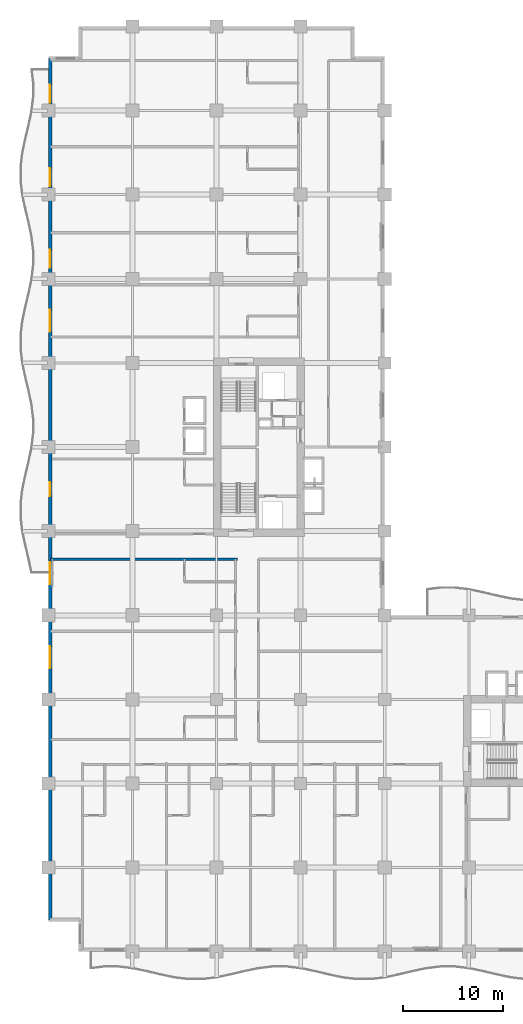
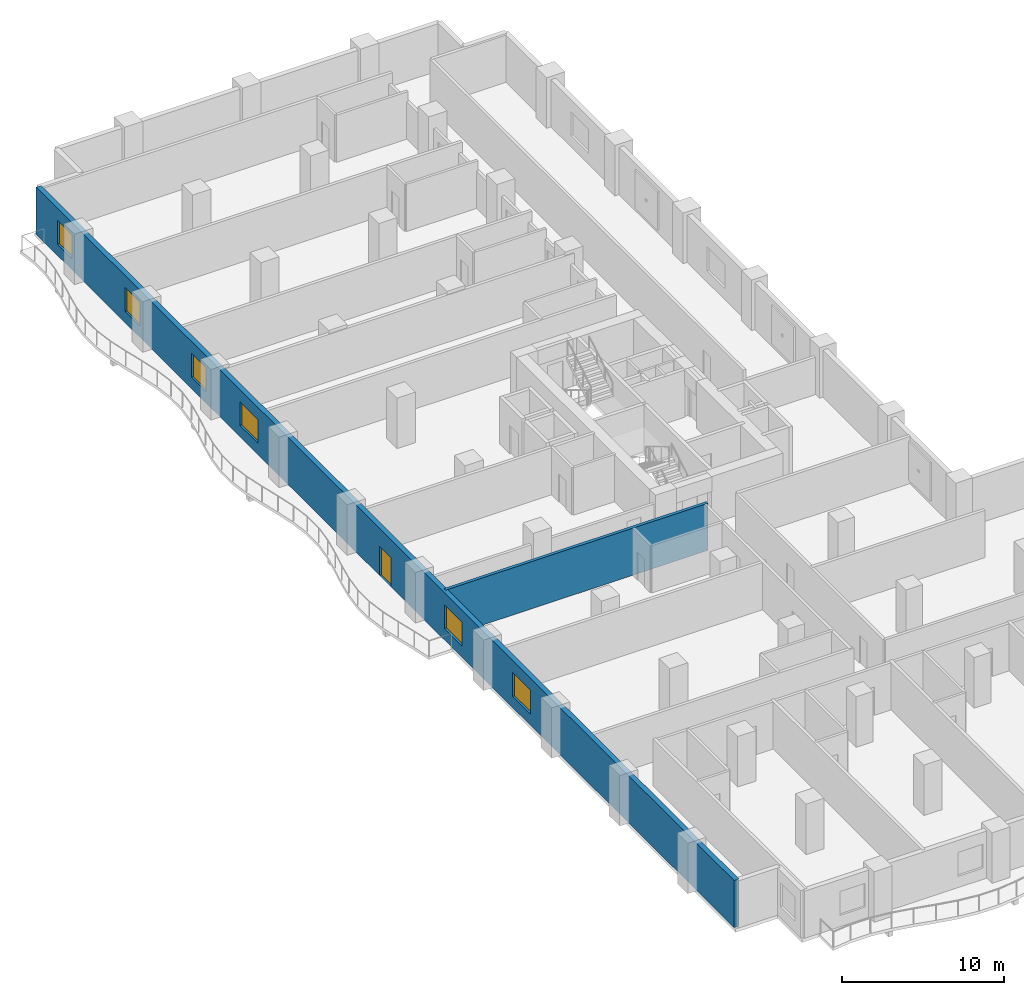
# One storey, part 7 of 18: 6 windows, 2 walls, 1 door, 7 openings.
"""IFC4 building model written with IfcOpenShell, lengths in metres."""

from ifc_helpers import new_model, si_unit, direction, frame, frame_2d, origin, place, context, subcontext, project, spatial, rectangle, extrude, material, layer, layer_set, type_object, element, fill, save


model = new_model("IFC4")

# Units and contexts
model_context = context("Model", 3, precision=1e-05, world=origin(), true_north=direction((0.0, 1.0)))
body_context = subcontext(model_context, "Body", "Model", "MODEL_VIEW")
ifc_project = project(units=[si_unit("LENGTHUNIT", "METRE"), si_unit("AREAUNIT", "SQUARE_METRE"), si_unit("VOLUMEUNIT", "CUBIC_METRE"), si_unit("PLANEANGLEUNIT", "RADIAN"), si_unit("MASSUNIT", "GRAM", prefix="KILO")], contexts=[model_context])

# Site, building, storey
site_placement = place(None, origin())
site = spatial("IfcSite", under=ifc_project, at=site_placement, CompositionType="ELEMENT")
building_placement = place(site_placement, origin())
building = spatial("IfcBuilding", under=site, at=building_placement, Name="Koriwani Terraces Tower", CompositionType="ELEMENT")
storey_placement = place(building_placement, frame((0.0, 0.0, 100.0)))
storey = spatial("IfcBuildingStorey", under=building, at=storey_placement, Name="L23", CompositionType="ELEMENT", Elevation=100.0)

# Wall
ifc_material_1 = material(Name="Autoclaved Cellular Concrete Blockwork", Category="masonry")
ifc_layer_1 = layer(ifc_material_1, 0.219970703125, Name="Autoclaved Cellular Concrete Blockwork")
ifc_layer_set_1 = layer_set([ifc_layer_1], Name="Autoclaved Cellular Concrete Blockwork")
wall_type_1 = type_object("IfcWallType", Name="WALL_DEMISING_220", PredefinedType="PARTITIONING", material=ifc_layer_set_1)
wall_1_placement = place(storey_placement, frame((0.199951171875, 39.199951171875, 0.0), z_axis=(0.0, 0.0, 1.0), x_axis=(1.0, 0.0, 0.0)))
element("IfcWall", 1, at=wall_1_placement, inside=storey, type_object=wall_type_1, Name="L23 Interior Wall WDEME-L23-NW", PredefinedType="PARTITIONING", context=body_context, shape_type="SweptSolid", body=[
    extrude(rectangle(XDim=18.679931640625, YDim=0.219970703125, at=frame_2d((9.33984375, 0.0))), origin(), (0.0, 0.0, 1.0), 3.550048828125),
])

# Wall, openings, door, windows
ifc_material_2 = material(Name="Concrete C50/60", Category="concrete")
ifc_layer_2 = layer(ifc_material_2, 0.35009765625, Name="Concrete C50/60")
ifc_layer_set_2 = layer_set([ifc_layer_2], Name="Concrete C50/60")
wall_type_2 = type_object("IfcWallType", Name="WALL_EXT_BRUTALIST_350", PredefinedType="STANDARD", material=ifc_layer_set_2)
wall_2_placement = place(storey_placement, frame((0.175048828125, 3.175048828125, 0.0), z_axis=(0.0, 0.0, 1.0), x_axis=(0.0, 1.0, 0.0)))
wall_2 = element("IfcWall", 2, at=wall_2_placement, inside=storey, type_object=wall_type_2, Name="L23 Fair-Faced Brutalist Exterior Wall (W)", PredefinedType="STANDARD", context=body_context, shape_type="SweptSolid", body=[
    extrude(rectangle(XDim=86.050048828125, YDim=0.35009765625, at=frame_2d((43.02490234375, 0.0))), origin(), (0.0, 0.0, 1.0), 3.550048828125),
])
opening_1_placement = place(wall_2_placement, frame((42.324951171875, 0.0, 0.0)))
opening_1 = element("IfcOpeningElement", 3, at=opening_1_placement, cuts=wall_2, Name="Opening D-09", PredefinedType="OPENING", context=body_context, shape_type="SweptSolid", body=[
    extrude(rectangle(XDim=1.39990234375, YDim=2.199951171875, at=frame_2d((0.699951171875, 1.10009765625))), frame((0.0, 0.18505859375, 0.0), z_axis=(0.0, -1.0, 0.0), x_axis=(1.0, 0.0, 0.0)), (0.0, 0.0, 1.0), 0.3701171875),
])
opening_2_placement = place(wall_2_placement, frame((25.125, 0.0, 0.85009765625)))
opening_2 = element("IfcOpeningElement", 4, at=opening_2_placement, cuts=wall_2, Name="Opening W-01", PredefinedType="OPENING", context=body_context, shape_type="SweptSolid", body=[
    extrude(rectangle(XDim=2.199951171875, YDim=1.800048828125, at=frame_2d((1.10009765625, 0.89990234375))), frame((0.0, 0.18505859375, 0.0), z_axis=(0.0, -1.0, 0.0), x_axis=(1.0, 0.0, 0.0)), (0.0, 0.0, 1.0), 0.3701171875),
])
opening_3_placement = place(wall_2_placement, frame((33.52490234375, 0.0, 0.85009765625)))
opening_3 = element("IfcOpeningElement", 5, at=opening_3_placement, cuts=wall_2, Name="Opening W-01", PredefinedType="OPENING", context=body_context, shape_type="SweptSolid", body=[
    extrude(rectangle(XDim=2.199951171875, YDim=1.800048828125, at=frame_2d((1.10009765625, 0.89990234375))), frame((0.0, 0.18505859375, 0.0), z_axis=(0.0, -1.0, 0.0), x_axis=(1.0, 0.0, 0.0)), (0.0, 0.0, 1.0), 0.3701171875),
])
opening_4_placement = place(wall_2_placement, frame((58.72509765625, 0.0, 0.85009765625)))
opening_4 = element("IfcOpeningElement", 6, at=opening_4_placement, cuts=wall_2, Name="Opening W-01", PredefinedType="OPENING", context=body_context, shape_type="SweptSolid", body=[
    extrude(rectangle(XDim=2.199951171875, YDim=1.800048828125, at=frame_2d((1.10009765625, 0.89990234375))), frame((0.0, 0.18505859375, 0.0), z_axis=(0.0, -1.0, 0.0), x_axis=(1.0, 0.0, 0.0)), (0.0, 0.0, 1.0), 0.3701171875),
])
opening_5_placement = place(wall_2_placement, frame((65.125, 0.0, 0.85009765625)))
opening_5 = element("IfcOpeningElement", 7, at=opening_5_placement, cuts=wall_2, Name="Opening W-04", PredefinedType="OPENING", context=body_context, shape_type="SweptSolid", body=[
    extrude(rectangle(XDim=1.800048828125, YDim=1.800048828125, at=frame_2d((0.89990234375, 0.89990234375))), frame((0.0, 0.18505859375, 0.0), z_axis=(0.0, -1.0, 0.0), x_axis=(1.0, 0.0, 0.0)), (0.0, 0.0, 1.0), 0.3701171875),
])
opening_6_placement = place(wall_2_placement, frame((73.27490234375, 0.0, 0.85009765625)))
opening_6 = element("IfcOpeningElement", 8, at=opening_6_placement, cuts=wall_2, Name="Opening W-04", PredefinedType="OPENING", context=body_context, shape_type="SweptSolid", body=[
    extrude(rectangle(XDim=1.800048828125, YDim=1.800048828125, at=frame_2d((0.89990234375, 0.89990234375))), frame((0.0, 0.18505859375, 0.0), z_axis=(0.0, -1.0, 0.0), x_axis=(1.0, 0.0, 0.0)), (0.0, 0.0, 1.0), 0.3701171875),
])
opening_7_placement = place(wall_2_placement, frame((81.625, 0.0, 0.85009765625)))
opening_7 = element("IfcOpeningElement", 9, at=opening_7_placement, cuts=wall_2, Name="Opening W-04", PredefinedType="OPENING", context=body_context, shape_type="SweptSolid", body=[
    extrude(rectangle(XDim=1.800048828125, YDim=1.800048828125, at=frame_2d((0.89990234375, 0.89990234375))), frame((0.0, 0.18505859375, 0.0), z_axis=(0.0, -1.0, 0.0), x_axis=(1.0, 0.0, 0.0)), (0.0, 0.0, 1.0), 0.3701171875),
])
ifc_material_3 = material(Name="Anodised Bronze Aluminium", Category="aluminium")
door_type = type_object("IfcDoorType", Name="DOOR_BALCONY_GLAZED_1400X2200", OperationType="NOTDEFINED", PredefinedType="DOOR", material=ifc_material_3)
door_placement = place(opening_1_placement, origin())
door = element("IfcDoor", 10, at=door_placement, inside=storey, type_object=door_type, Name="L23 West Balcony Glazed Door", OperationType="SINGLE_SWING_LEFT", OverallHeight=2.199951171875, OverallWidth=1.39990234375, PredefinedType="DOOR", context=body_context, shape_type="SweptSolid", body=[
    extrude(rectangle(XDim=1.39990234375, YDim=2.199951171875, at=frame_2d((0.699951171875, 1.10009765625))), frame((0.0, 0.02490234375, 0.0), z_axis=(0.0, -1.0, 0.0), x_axis=(1.0, 0.0, 0.0)), (0.0, 0.0, 1.0), 0.050048828125),
])
fill(opening_1, door)
ifc_material_4 = material(Name="Tempered Laminated Low-E Glass", Category="glass")
window_type_1 = type_object("IfcWindowType", Name="WIN_HOTEL_STD_2200X1800", PartitioningType="DOUBLE_PANEL_VERTICAL", PredefinedType="WINDOW", material=ifc_material_4)
window_1_placement = place(opening_2_placement, origin())
window_1 = element("IfcWindow", 11, at=window_1_placement, inside=storey, type_object=window_type_1, Name="L23 Exterior Window (W-9)", OverallHeight=1.800048828125, OverallWidth=2.199951171875, PartitioningType="SINGLE_PANEL", PredefinedType="WINDOW", context=body_context, shape_type="SweptSolid", body=[
    extrude(rectangle(XDim=2.199951171875, YDim=1.800048828125, at=frame_2d((1.10009765625, 0.89990234375))), frame((0.0, 0.030029296875, 0.0), z_axis=(0.0, -1.0, 0.0), x_axis=(1.0, 0.0, 0.0)), (0.0, 0.0, 1.0), 0.06005859375),
])
fill(opening_2, window_1)
window_2_placement = place(opening_3_placement, origin())
window_2 = element("IfcWindow", 12, at=window_2_placement, inside=storey, type_object=window_type_1, Name="L23 Exterior Window (W-12)", OverallHeight=1.800048828125, OverallWidth=2.199951171875, PartitioningType="SINGLE_PANEL", PredefinedType="WINDOW", context=body_context, shape_type="SweptSolid", body=[
    extrude(rectangle(XDim=2.199951171875, YDim=1.800048828125, at=frame_2d((1.10009765625, 0.89990234375))), frame((0.0, 0.030029296875, 0.0), z_axis=(0.0, -1.0, 0.0), x_axis=(1.0, 0.0, 0.0)), (0.0, 0.0, 1.0), 0.06005859375),
])
fill(opening_3, window_2)
window_3_placement = place(opening_4_placement, origin())
window_3 = element("IfcWindow", 13, at=window_3_placement, inside=storey, type_object=window_type_1, Name="L23 Exterior Window (W-21)", OverallHeight=1.800048828125, OverallWidth=2.199951171875, PartitioningType="SINGLE_PANEL", PredefinedType="WINDOW", context=body_context, shape_type="SweptSolid", body=[
    extrude(rectangle(XDim=2.199951171875, YDim=1.800048828125, at=frame_2d((1.10009765625, 0.89990234375))), frame((0.0, 0.030029296875, 0.0), z_axis=(0.0, -1.0, 0.0), x_axis=(1.0, 0.0, 0.0)), (0.0, 0.0, 1.0), 0.06005859375),
])
fill(opening_4, window_3)
window_type_2 = type_object("IfcWindowType", Name="WIN_RES_BED_1800X1800", PartitioningType="DOUBLE_PANEL_VERTICAL", PredefinedType="WINDOW", material=ifc_material_4)
window_4_placement = place(opening_5_placement, origin())
window_4 = element("IfcWindow", 14, at=window_4_placement, inside=storey, type_object=window_type_2, Name="L23 Exterior Window (W-R46)", OverallHeight=1.800048828125, OverallWidth=1.800048828125, PartitioningType="SINGLE_PANEL", PredefinedType="WINDOW", context=body_context, shape_type="SweptSolid", body=[
    extrude(rectangle(XDim=1.800048828125, YDim=1.800048828125, at=frame_2d((0.89990234375, 0.89990234375))), frame((0.0, 0.030029296875, 0.0), z_axis=(0.0, -1.0, 0.0), x_axis=(1.0, 0.0, 0.0)), (0.0, 0.0, 1.0), 0.06005859375),
])
fill(opening_5, window_4)
window_5_placement = place(opening_6_placement, origin())
window_5 = element("IfcWindow", 15, at=window_5_placement, inside=storey, type_object=window_type_2, Name="L23 Exterior Window (W-R48)", OverallHeight=1.800048828125, OverallWidth=1.800048828125, PartitioningType="SINGLE_PANEL", PredefinedType="WINDOW", context=body_context, shape_type="SweptSolid", body=[
    extrude(rectangle(XDim=1.800048828125, YDim=1.800048828125, at=frame_2d((0.89990234375, 0.89990234375))), frame((0.0, 0.030029296875, 0.0), z_axis=(0.0, -1.0, 0.0), x_axis=(1.0, 0.0, 0.0)), (0.0, 0.0, 1.0), 0.06005859375),
])
fill(opening_6, window_5)
window_6_placement = place(opening_7_placement, origin())
window_6 = element("IfcWindow", 16, at=window_6_placement, inside=storey, type_object=window_type_2, Name="L23 Exterior Window (W-R50)", OverallHeight=1.800048828125, OverallWidth=1.800048828125, PartitioningType="SINGLE_PANEL", PredefinedType="WINDOW", context=body_context, shape_type="SweptSolid", body=[
    extrude(rectangle(XDim=1.800048828125, YDim=1.800048828125, at=frame_2d((0.89990234375, 0.89990234375))), frame((0.0, 0.030029296875, 0.0), z_axis=(0.0, -1.0, 0.0), x_axis=(1.0, 0.0, 0.0)), (0.0, 0.0, 1.0), 0.06005859375),
])
fill(opening_7, window_6)

save(model, "model.ifc")
